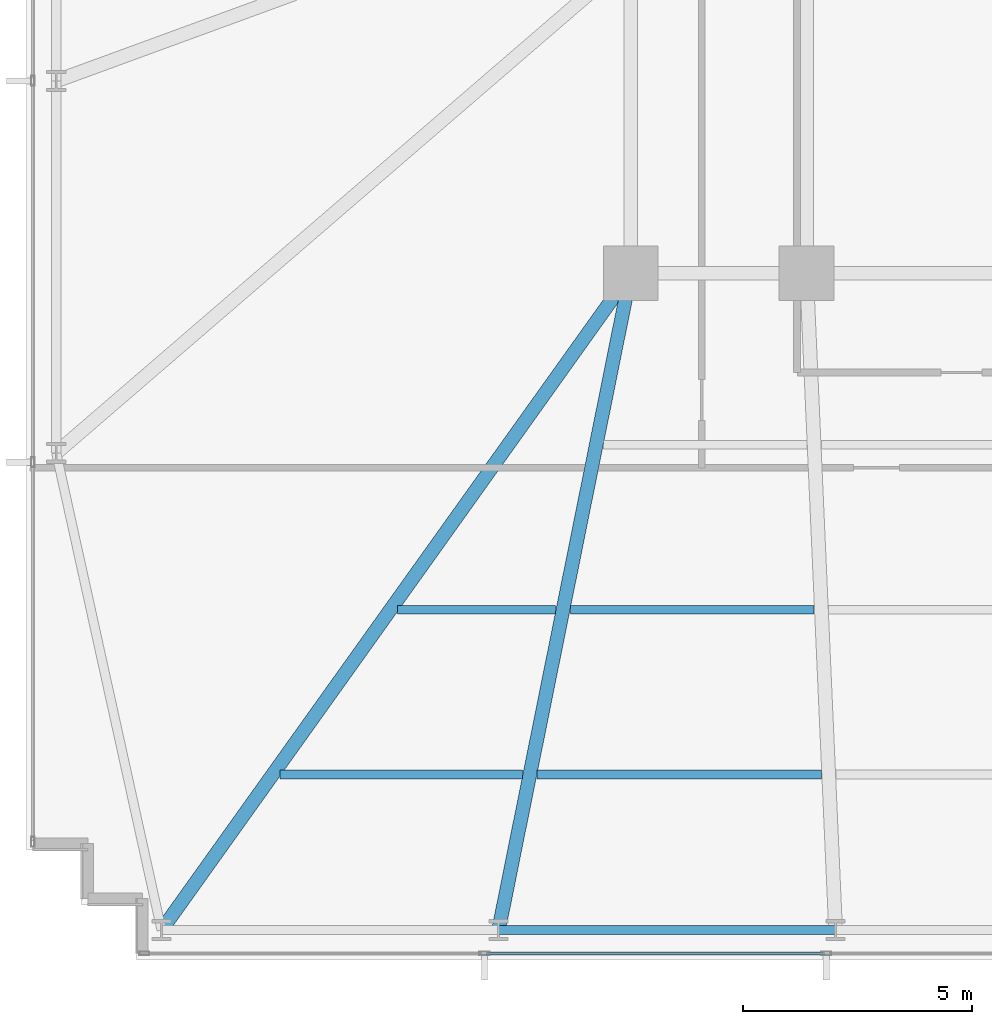
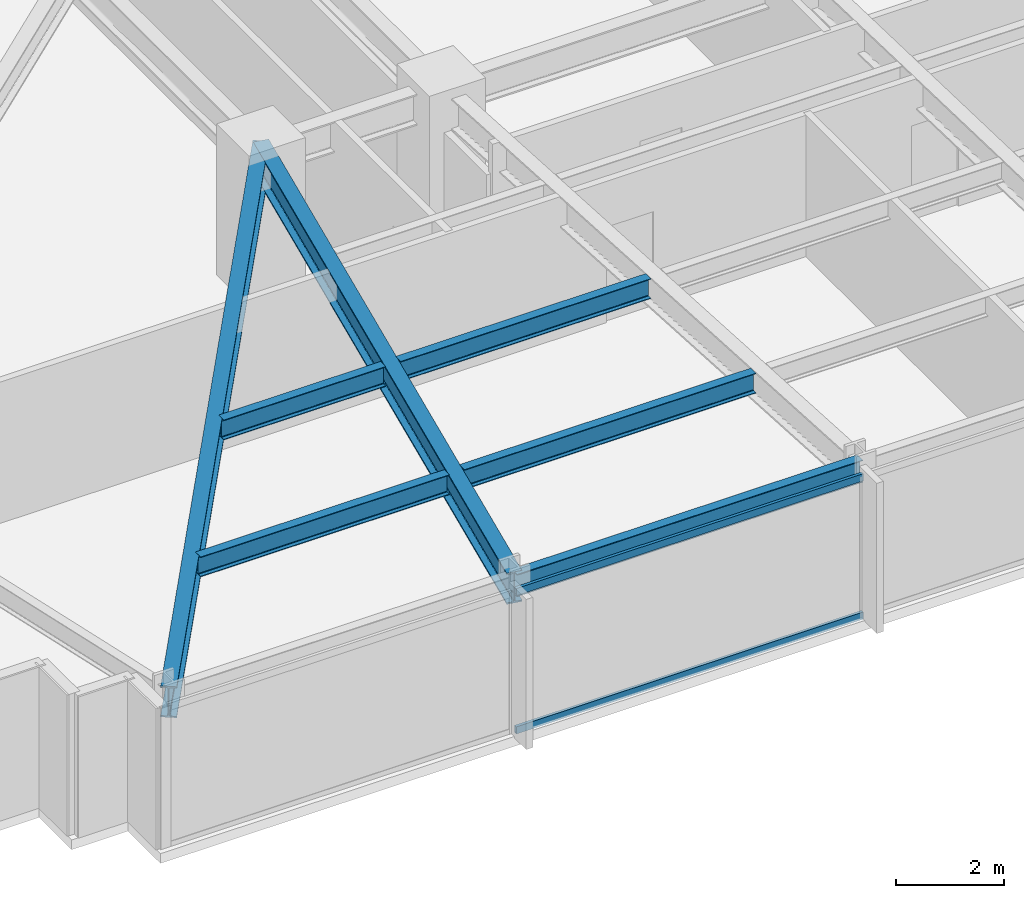
# One storey, part 3 of 33: 7 beams, 2 members, 1 element without a shape of its own.
"""IFC4 building model written with IfcOpenShell, lengths in metres."""

from ifc_helpers import new_model, si_unit, direction, frame, origin, origin_2d, place, context, subcontext, project, spatial, hollow_rectangle, i_section, extrude, material, material_profile, profile_set, type_object, element, aggregate, save


model = new_model("IFC4")

# Units and contexts
model_context = context("Model", 3, precision=1e-05, world=origin(), true_north=direction((0.0, 1.0)))
body_context = subcontext(model_context, "Body", "Model", "MODEL_VIEW")
ifc_project = project(units=[si_unit("LENGTHUNIT", "METRE"), si_unit("AREAUNIT", "SQUARE_METRE"), si_unit("VOLUMEUNIT", "CUBIC_METRE"), si_unit("PLANEANGLEUNIT", "RADIAN"), si_unit("MASSUNIT", "GRAM", prefix="KILO")], contexts=[model_context])

# Site, building, storey
site_placement = place(None, origin())
site = spatial("IfcSite", under=ifc_project, at=site_placement, CompositionType="ELEMENT")
building_placement = place(site_placement, origin())
building = spatial("IfcBuilding", under=site, at=building_placement, Name="Yelkora Congress Tower", CompositionType="ELEMENT")
storey_placement = place(building_placement, frame((0.0, 0.0, 37.199951171875)))
storey = spatial("IfcBuildingStorey", under=building, at=storey_placement, Name="L08", CompositionType="ELEMENT", Elevation=37.199951171875)

# Beams
ifc_material_1 = material(Name="Steel S355J2", Category="steel")
ifc_material_profile_1 = material_profile(ifc_material_1, i_section(OverallWidth=0.300048828125, OverallDepth=0.699951171875, WebThickness=0.01708984375, FlangeThickness=0.031982421875, FilletRadius=0.027099609375, at=origin_2d()), Name="HEB 700")
ifc_profile_set_1 = profile_set([ifc_material_profile_1], Name="Steel S355J2")
beam_type_1 = type_object("IfcBeamType", Name="BM-GIRD-HEB700", PredefinedType="BEAM", material=ifc_profile_set_1)
beam_1_placement = place(storey_placement, frame((8.949951171875, 10.85009765625, 2.830078125), z_axis=(0.581242122521, 0.813730664906, 0.0), x_axis=(-0.813730664906, 0.581242122521, 0.0)))
element("IfcBeam", 1, at=beam_1_placement, inside=storey, type_object=beam_type_1, Name="L08 Primary Frame Girder S01", PredefinedType="BEAM", context=body_context, shape_type="SweptSolid", body=[
    extrude(i_section(OverallWidth=0.300048828125, OverallDepth=0.699951171875, WebThickness=0.01708984375, FlangeThickness=0.031982421875, FilletRadius=0.027099609375, at=origin_2d()), origin(), (0.0, 0.0, 1.0), 17.634765625),
])
beam_2_placement = place(storey_placement, frame((16.3125, 10.85009765625, 2.830078125), z_axis=(0.197264295931, 0.980350344291, 0.0), x_axis=(-0.980350344291, 0.197264295931, 0.0)))
element("IfcBeam", 2, at=beam_2_placement, inside=storey, type_object=beam_type_1, Name="L08 Primary Frame Girder S02", PredefinedType="BEAM", context=body_context, shape_type="SweptSolid", body=[
    extrude(i_section(OverallWidth=0.300048828125, OverallDepth=0.699951171875, WebThickness=0.01708984375, FlangeThickness=0.031982421875, FilletRadius=0.027099609375, at=origin_2d()), origin(), (0.0, 0.0, 1.0), 14.637451171875),
])
ifc_material_profile_2 = material_profile(ifc_material_1, i_section(OverallWidth=0.18994140625, OverallDepth=0.449951171875, WebThickness=0.009521484375, FlangeThickness=0.0146484375, FilletRadius=0.02099609375, at=origin_2d()), Name="IPE 450")
ifc_profile_set_2 = profile_set([ifc_material_profile_2], Name="Steel S355J2")
beam_type_2 = type_object("IfcBeamType", Name="BM-JOIST-IPE450", PredefinedType="JOIST", material=ifc_profile_set_2)
beam_3_placement = place(storey_placement, frame((11.53857421875, 14.25, 2.955078125), z_axis=(1.0, 0.0, 0.0), x_axis=(0.0, 1.0, 0.0)))
element("IfcBeam", 3, at=beam_3_placement, inside=storey, type_object=beam_type_2, Name="L08 Composite Floor Joist 1", PredefinedType="JOIST", context=body_context, shape_type="SweptSolid", body=[
    extrude(i_section(OverallWidth=0.18994140625, OverallDepth=0.449951171875, WebThickness=0.009521484375, FlangeThickness=0.0146484375, FilletRadius=0.02099609375, at=origin_2d()), origin(), (0.0, 0.0, 1.0), 5.298095703125),
])
beam_4_placement = place(storey_placement, frame((17.156494140625, 14.25, 2.955078125), z_axis=(1.0, 0.0, 0.0), x_axis=(0.0, 1.0, 0.0)))
element("IfcBeam", 4, at=beam_4_placement, inside=storey, type_object=beam_type_2, Name="L08 Composite Floor Joist 2", PredefinedType="JOIST", context=body_context, shape_type="SweptSolid", body=[
    extrude(i_section(OverallWidth=0.18994140625, OverallDepth=0.449951171875, WebThickness=0.009521484375, FlangeThickness=0.0146484375, FilletRadius=0.02099609375, at=origin_2d()), origin(), (0.0, 0.0, 1.0), 6.2080078125),
])
beam_5_placement = place(storey_placement, frame((14.110107421875, 17.85009765625, 2.955078125), z_axis=(1.0, 0.0, 0.0), x_axis=(0.0, 1.0, 0.0)))
element("IfcBeam", 5, at=beam_5_placement, inside=storey, type_object=beam_type_2, Name="L08 Composite Floor Joist 9", PredefinedType="JOIST", context=body_context, shape_type="SweptSolid", body=[
    extrude(i_section(OverallWidth=0.18994140625, OverallDepth=0.449951171875, WebThickness=0.009521484375, FlangeThickness=0.0146484375, FilletRadius=0.02099609375, at=origin_2d()), origin(), (0.0, 0.0, 1.0), 3.450927734375),
])
beam_6_placement = place(storey_placement, frame((17.881103515625, 17.85009765625, 2.955078125), z_axis=(1.0, 0.0, 0.0), x_axis=(0.0, 1.0, 0.0)))
element("IfcBeam", 6, at=beam_6_placement, inside=storey, type_object=beam_type_2, Name="L08 Composite Floor Joist 10", PredefinedType="JOIST", context=body_context, shape_type="SweptSolid", body=[
    extrude(i_section(OverallWidth=0.18994140625, OverallDepth=0.449951171875, WebThickness=0.009521484375, FlangeThickness=0.0146484375, FilletRadius=0.02099609375, at=origin_2d()), origin(), (0.0, 0.0, 1.0), 5.323974609375),
])
ifc_material_profile_3 = material_profile(ifc_material_1, i_section(OverallWidth=0.199951171875, OverallDepth=0.5, WebThickness=0.01025390625, FlangeThickness=0.01611328125, FilletRadius=0.02099609375, at=origin_2d()), Name="IPE 500")
ifc_profile_set_3 = profile_set([ifc_material_profile_3], Name="Steel S355J2")
beam_type_3 = type_object("IfcBeamType", Name="BM-SPAN-IPE500", PredefinedType="SPANDREL", material=ifc_profile_set_3)
beam_7_placement = place(storey_placement, frame((16.3125, 10.85009765625, 2.929931640625), z_axis=(1.0, 0.0, 0.0), x_axis=(0.0, 1.0, 0.0)))
element("IfcBeam", 7, at=beam_7_placement, inside=storey, type_object=beam_type_3, Name="L08 Perimeter Beam 3", PredefinedType="SPANDREL", context=body_context, shape_type="SweptSolid", body=[
    extrude(i_section(OverallWidth=0.199951171875, OverallDepth=0.5, WebThickness=0.01025390625, FlangeThickness=0.01611328125, FilletRadius=0.02099609375, at=origin_2d()), origin(), (0.0, 0.0, 1.0), 7.362548828125),
])

# Curtain wall, members
ifc_material_2 = material(Name="Anodised aluminium and insulated glass", Category="aluminium")
curtain_wall_type = type_object("IfcCurtainWallType", Name="CW-SYS-B1", PredefinedType="NOTDEFINED", material=ifc_material_2)
curtain_wall_placement = place(storey_placement, origin())
curtain_wall = element("IfcCurtainWall", 8, at=curtain_wall_placement, inside=storey, type_object=curtain_wall_type, Name="L08 Unitised Curtain Wall 20", PredefinedType="NOTDEFINED")
ifc_material_3 = material(Name="Anodised aluminium 6063-T6", Category="aluminium")
ifc_material_profile_4 = material_profile(ifc_material_3, hollow_rectangle(XDim=0.06494140625, YDim=0.159912109375, WallThickness=0.00390625, at=origin_2d()), Name="ALU 65x160x4")
ifc_profile_set_4 = profile_set([ifc_material_profile_4], Name="Anodised aluminium 6063-T6")
member_type = type_object("IfcMemberType", Name="MEM-TR-B1", PredefinedType="USERDEFINED", material=ifc_profile_set_4)
member_1_placement = place(storey_placement, frame((23.4326171875, 10.340087890625, 0.032470703125), z_axis=(-1.0, 0.0, 0.0), x_axis=(0.0, -1.0, 0.0)))
member_1 = element("IfcMember", 9, at=member_1_placement, type_object=member_type, Name="CW-B1 transom 7.1", ObjectType="TRANSOM", PredefinedType="USERDEFINED", context=body_context, shape_type="SweptSolid", body=[
    extrude(hollow_rectangle(XDim=0.06494140625, YDim=0.159912109375, WallThickness=0.00390625, at=origin_2d()), origin(), (0.0, 0.0, 1.0), 7.39013671875),
])
member_2_placement = place(storey_placement, frame((23.4326171875, 10.340087890625, 3.1474609375), z_axis=(-1.0, 0.0, 0.0), x_axis=(0.0, -1.0, 0.0)))
member_2 = element("IfcMember", 10, at=member_2_placement, type_object=member_type, Name="CW-B1 transom 7.2", ObjectType="TRANSOM", PredefinedType="USERDEFINED", context=body_context, shape_type="SweptSolid", body=[
    extrude(hollow_rectangle(XDim=0.06494140625, YDim=0.159912109375, WallThickness=0.00390625, at=origin_2d()), origin(), (0.0, 0.0, 1.0), 7.39013671875),
])
aggregate(curtain_wall, [member_1, member_2])

save(model, "model.ifc")
